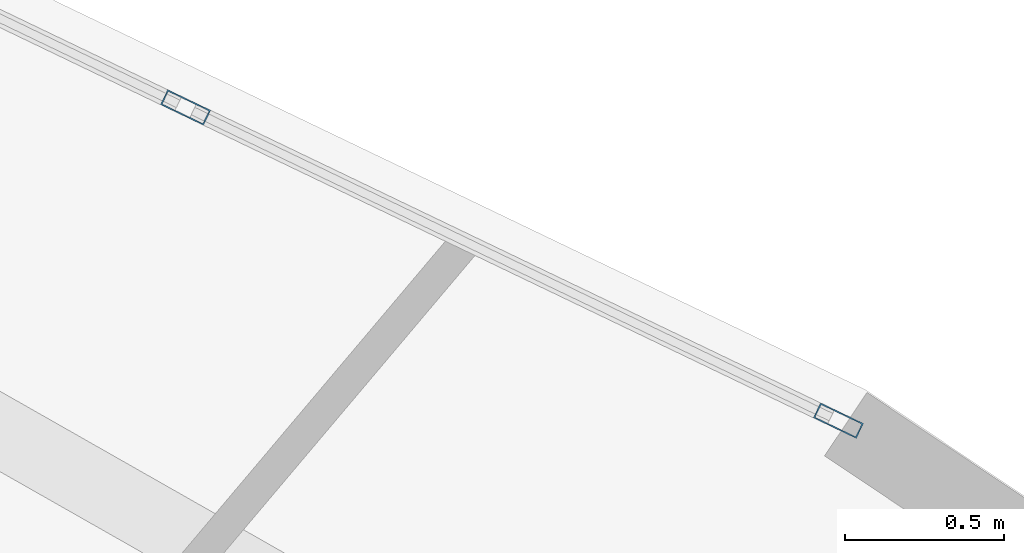
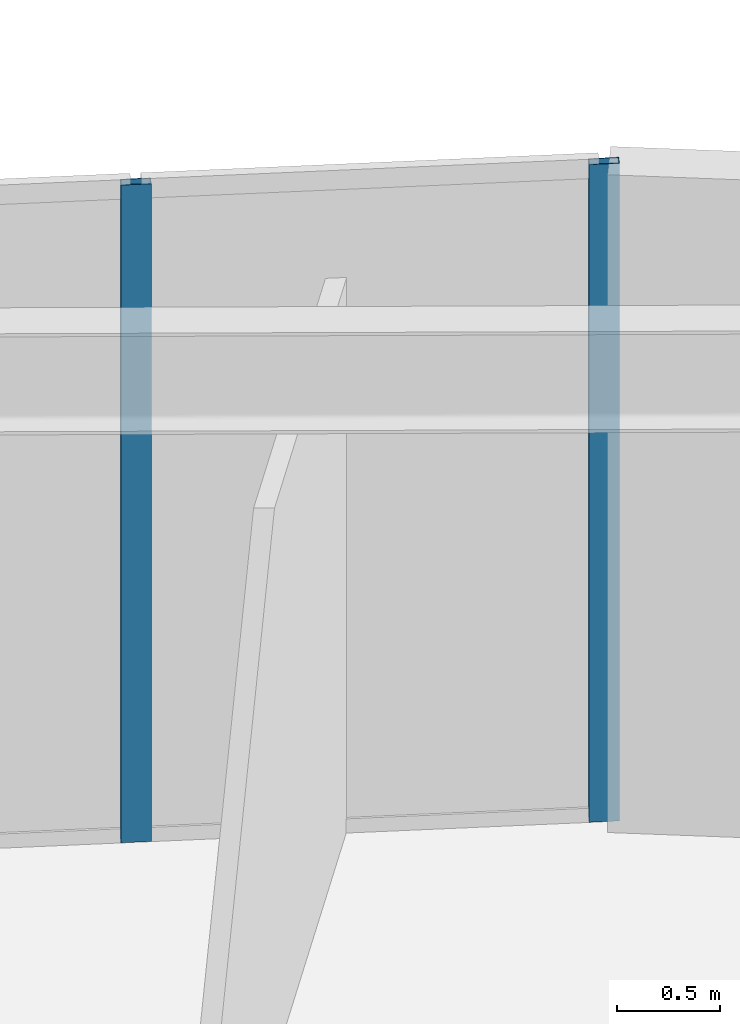
# One storey, part 6 of 21: 2 members, 1 element without a shape of its own.
"""IFC4 building model written with IfcOpenShell, lengths in metres."""

from ifc_helpers import new_model, si_unit, direction, frame, origin, origin_2d, place, context, subcontext, project, spatial, hollow_rectangle, extrude, source, transform, mapped, material, layer, layer_set, material_profile, profile_set, type_object, element, aggregate, save


model = new_model("IFC4")

# Units and contexts
model_context = context("Model", 3, precision=1e-05, world=origin(), true_north=direction((0.0, 1.0)))
body_context = subcontext(model_context, "Body", "Model", "MODEL_VIEW")
ifc_project = project(units=[si_unit("LENGTHUNIT", "METRE"), si_unit("AREAUNIT", "SQUARE_METRE"), si_unit("VOLUMEUNIT", "CUBIC_METRE"), si_unit("PLANEANGLEUNIT", "RADIAN"), si_unit("MASSUNIT", "GRAM", prefix="KILO")], contexts=[model_context])

# Site, building, storey
site_placement = place(None, origin())
site = spatial("IfcSite", under=ifc_project, at=site_placement, CompositionType="ELEMENT")
building_placement = place(site_placement, origin())
building = spatial("IfcBuilding", under=site, at=building_placement, Name="Linh Dai School and Residence Tower", CompositionType="ELEMENT")
storey_placement = place(building_placement, frame((0.0, 0.0, 82.800048828125)))
storey = spatial("IfcBuildingStorey", under=building, at=storey_placement, Name="L19", CompositionType="ELEMENT", Elevation=82.800048828125)

# Curtain wall, members
ifc_material_1 = material(Name="Aluminium Anodised Curtain Wall", Category="aluminium")
ifc_layer = layer(ifc_material_1, 0.14990234375)
ifc_layer_set = layer_set([ifc_layer], Name="Aluminium Anodised Curtain Wall")
curtain_wall_type = type_object("IfcCurtainWallType", Name="CW-SYS-4", PredefinedType="USERDEFINED", material=ifc_layer_set)
curtain_wall_placement = place(storey_placement, origin())
curtain_wall = element("IfcCurtainWall", 1, at=curtain_wall_placement, inside=storey, type_object=curtain_wall_type, Name="L19 CW4 Curtain Wall 07", ObjectType="RIBBON CURTAIN WALL", PredefinedType="USERDEFINED")
ifc_material_2 = material(Name="Aluminium Alloy 6063-T6", Category="aluminium")
ifc_material_profile = material_profile(ifc_material_2, hollow_rectangle(XDim=0.052001953125, YDim=0.14990234375, WallThickness=0.00390625, at=origin_2d()), Name="RHS 150x52x4")
ifc_profile_set = profile_set([ifc_material_profile], Name="Aluminium Alloy 6063-T6")
member_type = type_object("IfcMemberType", Name="CW-SYS-4-MUL", PredefinedType="MULLION", material=ifc_profile_set)
shared_shape = source(origin(), body_context, "Body", "SweptSolid", [
    extrude(hollow_rectangle(XDim=0.052001953125, YDim=0.14990234375, WallThickness=0.00390625, at=origin_2d()), origin(), (0.0, 0.0, 1.0), 3.89990234375),
])
member_1_placement = place(storey_placement, frame((52.19775390625, 47.6533203125, 0.0), z_axis=(0.0, 0.0, 1.0), x_axis=(0.432603008528, 0.901584514626, 0.0)))
member_1 = element("IfcMember", 2, at=member_1_placement, type_object=member_type, Name="CW4 mullion 2", PredefinedType="MULLION", context=body_context, shape_type="MappedRepresentation", body=[
    mapped(shared_shape, transform((0.0, 0.0, 0.0), x_axis=(1.0, 0.0, 0.0), y_axis=(0.0, 1.0, 0.0), z_axis=(0.0, 0.0, 1.0), scale=1.0)),
])
member_2_placement = place(storey_placement, frame((54.253662109375, 46.6669921875, 0.0), z_axis=(0.0, 0.0, 1.0), x_axis=(0.432603008528, 0.901584514626, 0.0)))
member_2 = element("IfcMember", 3, at=member_2_placement, type_object=member_type, Name="CW4 mullion 3", PredefinedType="MULLION", context=body_context, shape_type="MappedRepresentation", body=[
    mapped(shared_shape, transform((0.0, 0.0, 0.0), x_axis=(1.0, 0.0, 0.0), y_axis=(0.0, 1.0, 0.0), z_axis=(0.0, 0.0, 1.0), scale=1.0)),
])
aggregate(curtain_wall, [member_1, member_2])

save(model, "model.ifc")
